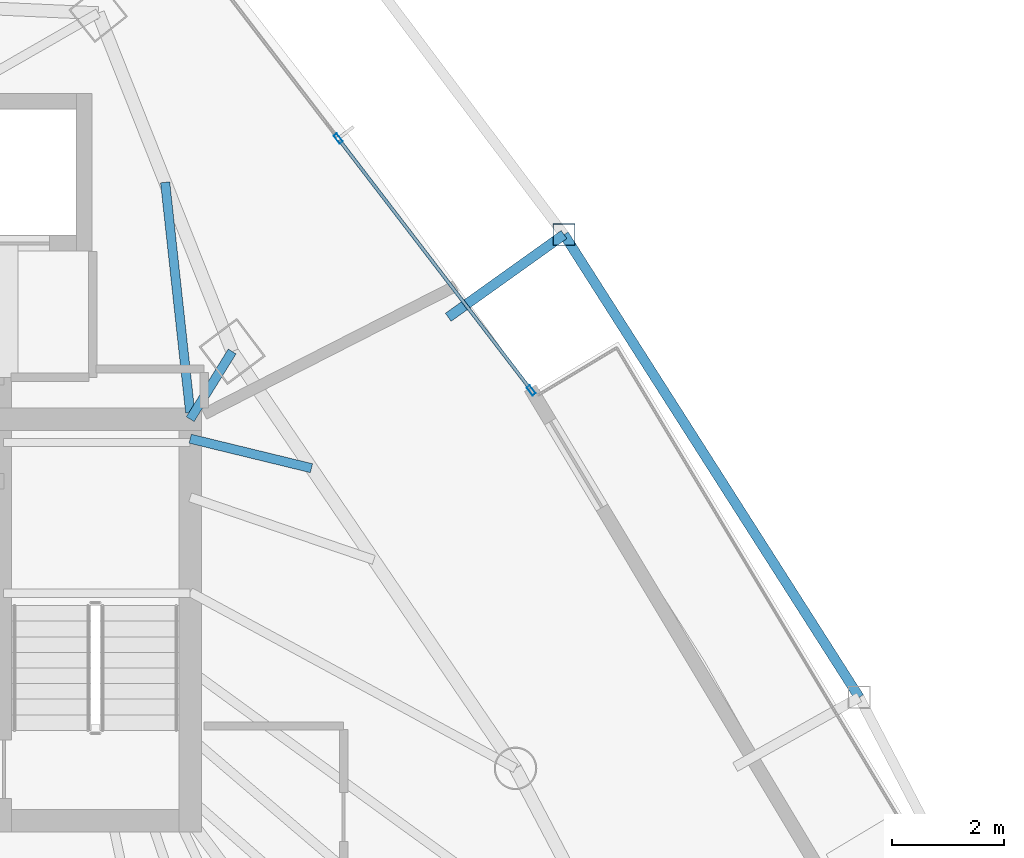
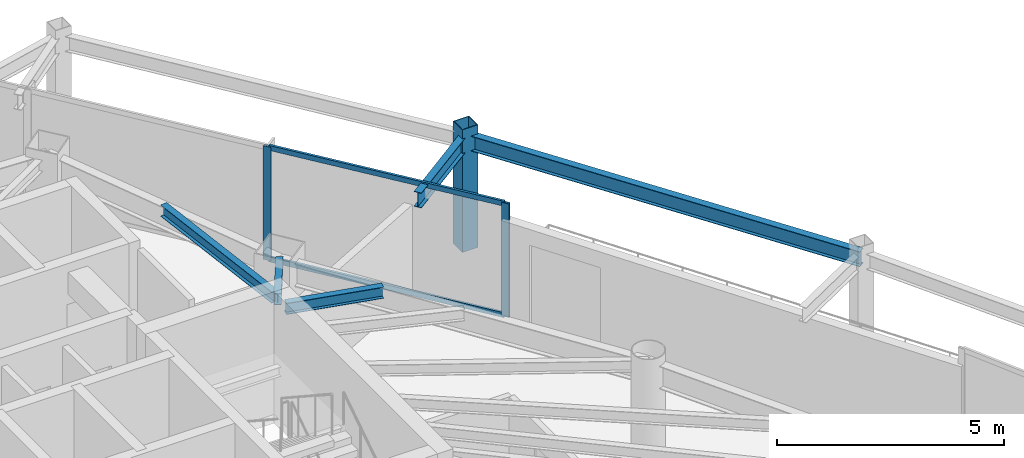
# One storey, part 24 of 31: 5 beams, 5 members, 1 element without a shape of its own.
"""IFC4 building model written with IfcOpenShell, lengths in metres."""

from ifc_helpers import new_model, si_unit, direction, frame, origin, origin_2d, place, context, subcontext, project, spatial, hollow_rectangle, i_section, extrude, material, layer, layer_set, material_profile, profile_set, type_object, element, aggregate, save


model = new_model("IFC4")

# Units and contexts
model_context = context("Model", 3, precision=1e-05, world=origin(), true_north=direction((0.0, 1.0)))
body_context = subcontext(model_context, "Body", "Model", "MODEL_VIEW")
ifc_project = project(units=[si_unit("LENGTHUNIT", "METRE"), si_unit("AREAUNIT", "SQUARE_METRE"), si_unit("VOLUMEUNIT", "CUBIC_METRE"), si_unit("PLANEANGLEUNIT", "RADIAN"), si_unit("MASSUNIT", "GRAM", prefix="KILO")], contexts=[model_context])

# Site, building, storey
site_placement = place(None, origin())
site = spatial("IfcSite", under=ifc_project, at=site_placement, CompositionType="ELEMENT")
building_placement = place(site_placement, origin())
building = spatial("IfcBuilding", under=site, at=building_placement, Name="Orvanel Arch Residences", CompositionType="ELEMENT")
storey_placement = place(building_placement, frame((0.0, 0.0, 129.800048828125)))
storey = spatial("IfcBuildingStorey", under=building, at=storey_placement, Name="L36", CompositionType="ELEMENT", Elevation=129.800048828125)

# Beams
ifc_material_1 = material(Name="Structural steel AS/NZS 3679.1 Grade 300 (300 MPa)", Category="steel")
ifc_material_profile_1 = material_profile(ifc_material_1, i_section(OverallWidth=0.1650390625, OverallDepth=0.303955078125, WebThickness=0.006103515625, FlangeThickness=0.01025390625, at=origin_2d()), Name="310UB40.4")
ifc_profile_set_1 = profile_set([ifc_material_profile_1], Name="Structural steel AS/NZS 3679.1 Grade 300 (300 MPa)")
beam_type_1 = type_object("IfcBeamType", Name="BJ-310UB", PredefinedType="JOIST", material=ifc_profile_set_1)
beam_1_placement = place(storey_placement, frame((39.60009765625, 33.89990234375, 2.907958984375), z_axis=(0.526843290616, 0.84996243866, 0.0), x_axis=(-0.84996243866, 0.526843290616, 0.0)))
element("IfcBeam", 1, at=beam_1_placement, inside=storey, type_object=beam_type_1, Name="L36 NNE Wing Floor Joist", PredefinedType="JOIST", context=body_context, shape_type="SweptSolid", body=[
    extrude(i_section(OverallWidth=0.1650390625, OverallDepth=0.303955078125, WebThickness=0.006103515625, FlangeThickness=0.01025390625, at=origin_2d()), origin(), (0.0, 0.0, 1.0), 1.42724609375),
])
beam_2_placement = place(storey_placement, frame((39.60009765625, 34.02001953125, 2.907958984375), z_axis=(-0.108261441852, 0.99412245735, 0.0), x_axis=(-0.99412245735, -0.108261441852, 0.0)))
element("IfcBeam", 2, at=beam_2_placement, inside=storey, type_object=beam_type_1, Name="L36 NNE2 Wing Floor Joist", PredefinedType="JOIST", context=body_context, shape_type="SweptSolid", body=[
    extrude(i_section(OverallWidth=0.1650390625, OverallDepth=0.303955078125, WebThickness=0.006103515625, FlangeThickness=0.01025390625, at=origin_2d()), origin(), (0.0, 0.0, 1.0), 4.1494140625),
])
beam_3_placement = place(storey_placement, frame((39.60009765625, 33.550048828125, 2.907958984375), z_axis=(0.971638471014, -0.236471312521, 0.0), x_axis=(0.236471312521, 0.971638471014, 0.0)))
element("IfcBeam", 3, at=beam_3_placement, inside=storey, type_object=beam_type_1, Name="L36 JADD4 Wing Floor Joist", PredefinedType="JOIST", context=body_context, shape_type="SweptSolid", body=[
    extrude(i_section(OverallWidth=0.1650390625, OverallDepth=0.303955078125, WebThickness=0.006103515625, FlangeThickness=0.01025390625, at=origin_2d()), origin(), (0.0, 0.0, 1.0), 2.2373046875),
])

# Curtain wall, members
ifc_material_2 = material(Name="Bronze-anodised aluminium AA6063-T6", Category="aluminium")
ifc_layer = layer(ifc_material_2, 0.179931640625)
ifc_layer_set = layer_set([ifc_layer], Name="Bronze-anodised aluminium AA6063-T6")
curtain_wall_type = type_object("IfcCurtainWallType", Name="CW3-MID-SYS", PredefinedType="NOTDEFINED", material=ifc_layer_set)
curtain_wall_placement = place(storey_placement, origin())
curtain_wall = element("IfcCurtainWall", 4, at=curtain_wall_placement, inside=storey, type_object=curtain_wall_type, Name="L36 CW3-MID-SYS Unitised Curtain Wall", PredefinedType="NOTDEFINED")
ifc_material_profile_2 = material_profile(ifc_material_2, hollow_rectangle(XDim=0.070068359375, YDim=0.179931640625, WallThickness=0.00439453125, at=origin_2d()), Name="ALU180x70x4.5")
ifc_profile_set_2 = profile_set([ifc_material_profile_2], Name="Bronze-anodised aluminium AA6063-T6")
member_type_1 = type_object("IfcMemberType", Name="MUL-180x70", PredefinedType="MULLION", material=ifc_profile_set_2)
member_1_placement = place(storey_placement, frame((45.712646484375, 34.416748046875, 0.0), z_axis=(0.0, 0.0, 1.0), x_axis=(-0.793686048697, -0.608327589465, 0.0)))
member_1 = element("IfcMember", 5, at=member_1_placement, type_object=member_type_1, Name="CW-S3 mullion 1", PredefinedType="MULLION", context=body_context, shape_type="SweptSolid", body=[
    extrude(hollow_rectangle(XDim=0.070068359375, YDim=0.179931640625, WallThickness=0.00439453125, at=origin_2d()), origin(), (0.0, 0.0, 1.0), 3.06005859375),
])
member_2_placement = place(storey_placement, frame((42.2529296875, 38.9306640625, 0.0), z_axis=(0.0, 0.0, 1.0), x_axis=(-0.793686048697, -0.608327589465, 0.0)))
member_2 = element("IfcMember", 6, at=member_2_placement, type_object=member_type_1, Name="CW-S3 mullion 2", PredefinedType="MULLION", context=body_context, shape_type="SweptSolid", body=[
    extrude(hollow_rectangle(XDim=0.070068359375, YDim=0.179931640625, WallThickness=0.00439453125, at=origin_2d()), origin(), (0.0, 0.0, 1.0), 3.06005859375),
])

# Beams
ifc_material_profile_3 = material_profile(ifc_material_1, i_section(OverallWidth=0.177978515625, OverallDepth=0.406005859375, WebThickness=0.0078125, FlangeThickness=0.0126953125, at=origin_2d()), Name="410UB59.7")
ifc_profile_set_3 = profile_set([ifc_material_profile_3], Name="Structural steel AS/NZS 3679.1 Grade 300 (300 MPa)")
beam_type_2 = type_object("IfcBeamType", Name="OB-410UB-EXT", PredefinedType="SPANDREL", material=ifc_profile_set_3)
beam_4_placement = place(storey_placement, frame((51.592041015625, 28.9140625, 2.85693359375), z_axis=(-0.537844884876, 0.843043818442, 0.0), x_axis=(-0.843043818442, -0.537844884876, 0.0)))
element("IfcBeam", 7, at=beam_4_placement, inside=storey, type_object=beam_type_2, Name="L36 Outer Perimeter Floor Ring Beam 10", PredefinedType="SPANDREL", context=body_context, shape_type="SweptSolid", body=[
    extrude(i_section(OverallWidth=0.177978515625, OverallDepth=0.406005859375, WebThickness=0.0078125, FlangeThickness=0.0126953125, at=origin_2d()), origin(), (0.0, 0.0, 1.0), 9.83935546875),
])
beam_5_placement = place(storey_placement, frame((44.22509765625, 35.72607421875, 2.85693359375), z_axis=(0.813584679456, 0.581446445819, 0.0), x_axis=(-0.581446445819, 0.813584679456, 0.0)))
element("IfcBeam", 8, at=beam_5_placement, inside=storey, type_object=beam_type_2, Name="L36 Outer Frame Radial Tie Beam 11", PredefinedType="SPANDREL", context=body_context, shape_type="SweptSolid", body=[
    extrude(i_section(OverallWidth=0.177978515625, OverallDepth=0.406005859375, WebThickness=0.0078125, FlangeThickness=0.0126953125, at=origin_2d()), origin(), (0.0, 0.0, 1.0), 2.55029296875),
])

# Member
ifc_material_3 = material(Name="Structural steel AS/NZS 1163 C450L0 (Grade 450)", Category="steel")
ifc_material_profile_4 = material_profile(ifc_material_3, hollow_rectangle(XDim=0.39990234375, YDim=0.39990234375, WallThickness=0.01611328125, at=origin_2d()), Name="SHS400x400x16")
ifc_profile_set_4 = profile_set([ifc_material_profile_4], Name="Structural steel AS/NZS 1163 C450L0 (Grade 450)")
member_type_2 = type_object("IfcMemberType", Name="ST-400SHS-EXT", PredefinedType="STRUT", material=ifc_profile_set_4)
member_3_placement = place(storey_placement, frame((46.300048828125, 37.208984375, 0.0), z_axis=(0.0, 0.0, 1.0), x_axis=(1.0, 0.0, 0.0)))
element("IfcMember", 9, at=member_3_placement, inside=storey, type_object=member_type_2, Name="L36 Outer Perimeter Frame Post 11", PredefinedType="STRUT", context=body_context, shape_type="SweptSolid", body=[
    extrude(hollow_rectangle(XDim=0.39990234375, YDim=0.39990234375, WallThickness=0.01611328125, at=origin_2d()), origin(), (0.0, 0.0, 1.0), 3.300048828125),
])

ifc_material_profile_5 = material_profile(ifc_material_2, hollow_rectangle(XDim=0.06005859375, YDim=0.135009765625, WallThickness=0.00390625, at=origin_2d()), Name="ALU135x60x4")
ifc_profile_set_5 = profile_set([ifc_material_profile_5], Name="Bronze-anodised aluminium AA6063-T6")
member_type_3 = type_object("IfcMemberType", Name="TRN-135x60", PredefinedType="USERDEFINED", material=ifc_profile_set_5)
member_4_placement = place(storey_placement, frame((45.69140625, 34.444580078125, 0.030029296875), z_axis=(-0.608346683085, 0.793671413861, 0.0), x_axis=(-0.793671413861, -0.608346683085, 0.0)))
member_4 = element("IfcMember", 10, at=member_4_placement, type_object=member_type_3, Name="CW-S3 transom 1.1", ObjectType="TRANSOM", PredefinedType="USERDEFINED", context=body_context, shape_type="SweptSolid", body=[
    extrude(hollow_rectangle(XDim=0.06005859375, YDim=0.135009765625, WallThickness=0.00390625, at=origin_2d()), origin(), (0.0, 0.0, 1.0), 5.6171875),
])

member_5_placement = place(storey_placement, frame((45.69140625, 34.444580078125, 3.030029296875), z_axis=(-0.608346683085, 0.793671413861, 0.0), x_axis=(-0.793671413861, -0.608346683085, 0.0)))
member_5 = element("IfcMember", 11, at=member_5_placement, type_object=member_type_3, Name="CW-S3 transom 1.2", ObjectType="TRANSOM", PredefinedType="USERDEFINED", context=body_context, shape_type="SweptSolid", body=[
    extrude(hollow_rectangle(XDim=0.06005859375, YDim=0.135009765625, WallThickness=0.00390625, at=origin_2d()), origin(), (0.0, 0.0, 1.0), 5.6171875),
])

aggregate(curtain_wall, [member_1, member_2, member_4, member_5])

save(model, "model.ifc")
